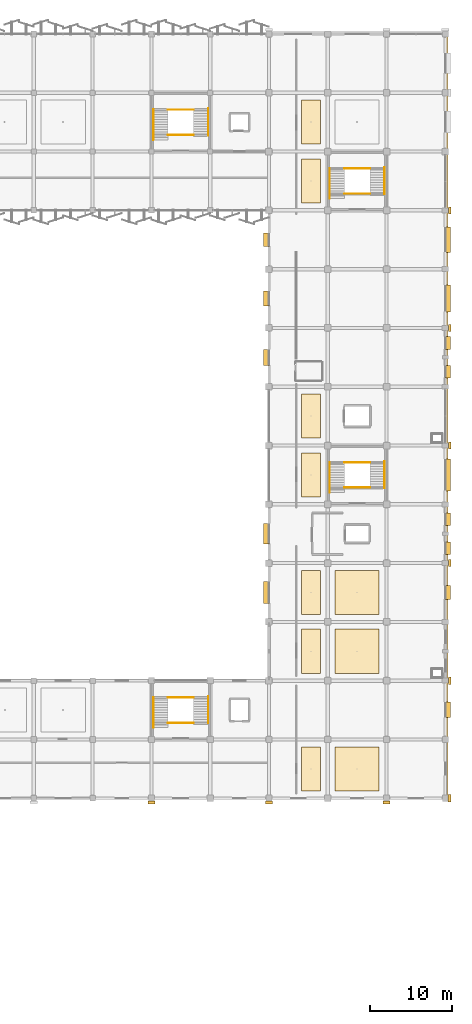
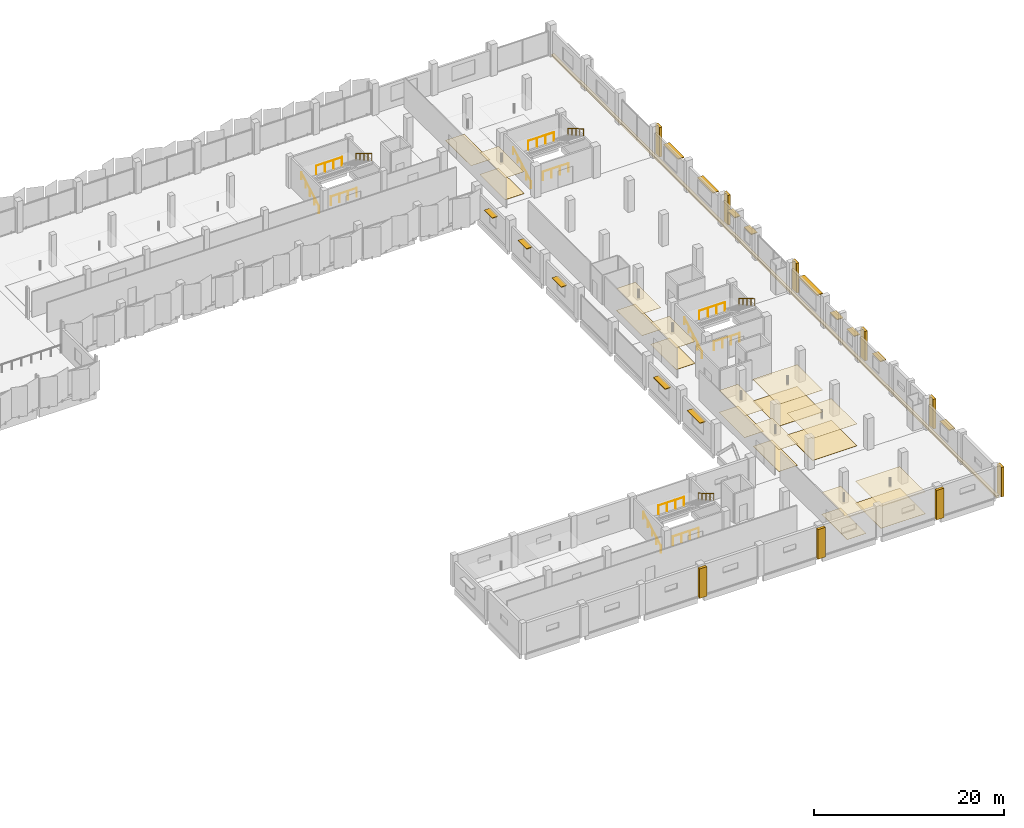
# One storey, part 106 of 107: 29 coverings, 16 railings, 14 shading devices.
"""IFC4 building model written with IfcOpenShell, lengths in metres."""

from ifc_helpers import new_model, si_unit, direction, frame, origin, origin_2d, place, context, subcontext, project, spatial, polyline, rectangle, circle, outline, extrude, material, layer, layer_set, type_object, element, save


model = new_model("IFC4")

# Units and contexts
model_context = context("Model", 3, precision=1e-05, world=origin(), true_north=direction((0.0, 1.0)))
body_context = subcontext(model_context, "Body", "Model", "MODEL_VIEW")
ifc_project = project(units=[si_unit("LENGTHUNIT", "METRE"), si_unit("AREAUNIT", "SQUARE_METRE"), si_unit("VOLUMEUNIT", "CUBIC_METRE"), si_unit("PLANEANGLEUNIT", "RADIAN"), si_unit("MASSUNIT", "GRAM", prefix="KILO")], contexts=[model_context])

# Site, building, storey
site_placement = place(None, origin())
site = spatial("IfcSite", under=ifc_project, at=site_placement, CompositionType="ELEMENT")
building_placement = place(site_placement, origin())
building = spatial("IfcBuilding", under=site, at=building_placement, Name="Kangsadwip Square Police Headquarters", CompositionType="ELEMENT")
storey_placement = place(building_placement, frame((0.0, 0.0, 5.39990234375)))
storey = spatial("IfcBuildingStorey", under=building, at=storey_placement, Name="L01", CompositionType="ELEMENT", Elevation=5.39990234375)

# Railings
ifc_material_1 = material(Name="Structural steel IS 2062 E250 (Grade 250, 250 MPa)", Category="steel")
railing_type_1 = type_object("IfcRailingType", Name="BalustradeGuard1100", PredefinedType="BALUSTRADE", material=ifc_material_1)
for number, where, name in (
    (1, (153.22998046875, 59.639892578125, 0.0), "Stair Guard ST-03 L01-78"),
    (2, (153.22998046875, 62.719970703125, 2.106201171875), "Stair Guard ST-03 L01-79"),
    (3, (153.22998046875, 95.639892578125, 0.0), "Stair Guard ST-04 L01-110"),
    (4, (153.22998046875, 98.719970703125, 2.106201171875), "Stair Guard ST-04 L01-111"),
    (5, (131.6298828125, 102.840087890625, 0.0), "Stair Guard ST-05 L01-130"),
    (6, (131.6298828125, 105.919921875, 2.106201171875), "Stair Guard ST-05 L01-131"),
    (7, (131.6298828125, 30.840087890625, 0.0), "Stair Guard ST-06 L01-146"),
    (8, (131.6298828125, 33.919921875, 2.106201171875), "Stair Guard ST-06 L01-147"),
):
    element("IfcRailing", number, at=place(storey_placement, frame(where)), inside=storey, type_object=railing_type_1, Name=name, PredefinedType="BALUSTRADE", context=body_context, shape_type="SweptSolid", body=[
        extrude(circle(Radius=0.02392578125, at=origin_2d()), frame((0.0, 0.0, 1.09619140625), z_axis=(1.0, 0.0, 0.0), x_axis=(0.0, 1.0, 0.0)), (0.0, 0.0, 1.0), 3.14013671875),
        extrude(circle(Radius=0.02099609375, at=origin_2d()), origin(), (0.0, 0.0, 1.0), 1.072021484375),
        extrude(circle(Radius=0.02099609375, at=origin_2d()), frame((1.046630859375, 0.0, 0.0)), (0.0, 0.0, 1.0), 1.072021484375),
        extrude(circle(Radius=0.02099609375, at=origin_2d()), frame((2.093505859375, 0.0, 0.0)), (0.0, 0.0, 1.0), 1.072021484375),
        extrude(circle(Radius=0.02099609375, at=origin_2d()), frame((3.14013671875, 0.0, 0.0)), (0.0, 0.0, 1.0), 1.072021484375),
    ])

# Coverings
ifc_material_2 = material(Name="Seamless anti-static epoxy and polished Kota stone interior flooring", Category="masonry")
ifc_layer_1 = layer(ifc_material_2, 0.02001953125)
ifc_layer_set_1 = layer_set([ifc_layer_1], Name="Seamless anti-static epoxy and polished Kota stone interior flooring")
covering_type_1 = type_object("IfcCoveringType", Name="InteriorStoneEpoxyFloor", PredefinedType="FLOORING", material=ifc_layer_set_1)
covering_1_placement = place(storey_placement, origin())
element("IfcCovering", 9, at=covering_1_placement, inside=storey, type_object=covering_type_1, Name="Interior Floor Finish L01-055", PredefinedType="FLOORING", context=body_context, shape_type="SweptSolid", body=[
    extrude(outline(polyline([(148.0, 94.5), (150.300048828125, 94.5), (150.300048828125, 99.89990234375), (148.0, 99.89990234375), (148.0, 94.5)])), origin(), (0.0, 0.0, 1.0), 0.02001953125),
])
covering_2_placement = place(storey_placement, origin())
element("IfcCovering", 10, at=covering_2_placement, inside=storey, type_object=covering_type_1, Name="Interior Floor Finish L01-056", PredefinedType="FLOORING", context=body_context, shape_type="SweptSolid", body=[
    extrude(outline(polyline([(148.0, 101.699951171875), (150.300048828125, 101.699951171875), (150.300048828125, 107.10009765625), (148.0, 107.10009765625), (148.0, 101.699951171875)])), origin(), (0.0, 0.0, 1.0), 0.02001953125),
])
covering_3_placement = place(storey_placement, origin())
element("IfcCovering", 11, at=covering_3_placement, inside=storey, type_object=covering_type_1, Name="Interior Floor Finish L01-064", PredefinedType="FLOORING", context=body_context, shape_type="SweptSolid", body=[
    extrude(outline(polyline([(148.0, 36.89990234375), (150.300048828125, 36.89990234375), (150.300048828125, 42.300048828125), (148.0, 42.300048828125), (148.0, 36.89990234375)])), origin(), (0.0, 0.0, 1.0), 0.02001953125),
])
covering_4_placement = place(storey_placement, origin())
element("IfcCovering", 12, at=covering_4_placement, inside=storey, type_object=covering_type_1, Name="Interior Floor Finish L01-065", PredefinedType="FLOORING", context=body_context, shape_type="SweptSolid", body=[
    extrude(outline(polyline([(152.10009765625, 36.89990234375), (157.5, 36.89990234375), (157.5, 42.300048828125), (152.10009765625, 42.300048828125), (152.10009765625, 36.89990234375)])), origin(), (0.0, 0.0, 1.0), 0.02001953125),
])
covering_5_placement = place(storey_placement, origin())
element("IfcCovering", 13, at=covering_5_placement, inside=storey, type_object=covering_type_1, Name="Interior Floor Finish L01-066", PredefinedType="FLOORING", context=body_context, shape_type="SweptSolid", body=[
    extrude(outline(polyline([(148.0, 44.10009765625), (150.300048828125, 44.10009765625), (150.300048828125, 49.5), (148.0, 49.5), (148.0, 44.10009765625)])), origin(), (0.0, 0.0, 1.0), 0.02001953125),
])
covering_6_placement = place(storey_placement, origin())
element("IfcCovering", 14, at=covering_6_placement, inside=storey, type_object=covering_type_1, Name="Interior Floor Finish L01-067", PredefinedType="FLOORING", context=body_context, shape_type="SweptSolid", body=[
    extrude(outline(polyline([(152.10009765625, 44.10009765625), (157.5, 44.10009765625), (157.5, 49.5), (152.10009765625, 49.5), (152.10009765625, 44.10009765625)])), origin(), (0.0, 0.0, 1.0), 0.02001953125),
])
covering_7_placement = place(storey_placement, origin())
element("IfcCovering", 15, at=covering_7_placement, inside=storey, type_object=covering_type_1, Name="Interior Floor Finish L01-068", PredefinedType="FLOORING", context=body_context, shape_type="SweptSolid", body=[
    extrude(outline(polyline([(148.0, 58.5), (150.300048828125, 58.5), (150.300048828125, 63.89990234375), (148.0, 63.89990234375), (148.0, 58.5)])), origin(), (0.0, 0.0, 1.0), 0.02001953125),
])
covering_8_placement = place(storey_placement, origin())
element("IfcCovering", 16, at=covering_8_placement, inside=storey, type_object=covering_type_1, Name="Interior Floor Finish L01-069", PredefinedType="FLOORING", context=body_context, shape_type="SweptSolid", body=[
    extrude(outline(polyline([(148.0, 65.699951171875), (150.300048828125, 65.699951171875), (150.300048828125, 71.10009765625), (148.0, 71.10009765625), (148.0, 65.699951171875)])), origin(), (0.0, 0.0, 1.0), 0.02001953125),
])
covering_9_placement = place(storey_placement, origin())
element("IfcCovering", 17, at=covering_9_placement, inside=storey, type_object=covering_type_1, Name="Interior Floor Finish L01-079", PredefinedType="FLOORING", context=body_context, shape_type="SweptSolid", body=[
    extrude(outline(polyline([(148.0, 22.5), (150.300048828125, 22.5), (150.300048828125, 27.89990234375), (148.0, 27.89990234375), (148.0, 22.5)])), origin(), (0.0, 0.0, 1.0), 0.02001953125),
])
covering_10_placement = place(storey_placement, origin())
element("IfcCovering", 18, at=covering_10_placement, inside=storey, type_object=covering_type_1, Name="Interior Floor Finish L01-080", PredefinedType="FLOORING", context=body_context, shape_type="SweptSolid", body=[
    extrude(outline(polyline([(152.10009765625, 22.5), (157.5, 22.5), (157.5, 27.89990234375), (152.10009765625, 27.89990234375), (152.10009765625, 22.5)])), origin(), (0.0, 0.0, 1.0), 0.02001953125),
])

# Railings
ifc_material_3 = material(Name="Structural steel IS 2062 E250 (Grade 250, 250 MPa)", Category="steel")
railing_type_2 = type_object("IfcRailingType", Name="StairPitchHandrail900", PredefinedType="HANDRAIL", material=ifc_material_3)
railing_1_placement = place(storey_placement, frame((151.43994140625, 59.0400390625, 0.0)))
element("IfcRailing", 19, at=railing_1_placement, inside=storey, type_object=railing_type_2, Name="Stair Handrail ST-03 L01-80", PredefinedType="HANDRAIL", context=body_context, shape_type="SweptSolid", body=[
    extrude(circle(Radius=0.02392578125, at=origin_2d()), frame((0.0, 0.0, 0.8759765625), z_axis=(0.0, 0.870200954866, 0.492696963813), x_axis=(-1.0, 0.0, 0.0)), (0.0, 0.0, 1.0), 4.27490234375),
    extrude(circle(Radius=0.02099609375, at=origin_2d()), origin(), (0.0, 0.0, 1.0), 0.851806640625),
    extrude(circle(Radius=0.02099609375, at=origin_2d()), frame((0.0, 0.929931640625, 0.526611328125)), (0.0, 0.0, 1.0), 0.851806640625),
    extrude(circle(Radius=0.02099609375, at=origin_2d()), frame((0.0, 1.85986328125, 1.05322265625)), (0.0, 0.0, 1.0), 0.851806640625),
    extrude(circle(Radius=0.02099609375, at=origin_2d()), frame((0.0, 2.7900390625, 1.57958984375)), (0.0, 0.0, 1.0), 0.851806640625),
    extrude(circle(Radius=0.02099609375, at=origin_2d()), frame((0.0, 3.719970703125, 2.106201171875)), (0.0, 0.0, 1.0), 0.851806640625),
])
railing_2_placement = place(storey_placement, frame((158.159912109375, 62.860107421875, 2.106201171875)))
element("IfcRailing", 20, at=railing_2_placement, inside=storey, type_object=railing_type_2, Name="Stair Handrail ST-03 L01-81", PredefinedType="HANDRAIL", context=body_context, shape_type="SweptSolid", body=[
    extrude(circle(Radius=0.02392578125, at=origin_2d()), frame((0.0, 0.0, 0.8759765625), z_axis=(0.0, -0.860276971572, 0.509826962981), x_axis=(1.0, 0.0, 0.0)), (0.0, 0.0, 1.0), 3.812744140625),
    extrude(circle(Radius=0.02099609375, at=origin_2d()), origin(), (0.0, 0.0, 1.0), 0.851806640625),
    extrude(circle(Radius=0.02099609375, at=origin_2d()), frame((0.0, -0.820068359375, 0.48583984375)), (0.0, 0.0, 1.0), 0.851806640625),
    extrude(circle(Radius=0.02099609375, at=origin_2d()), frame((0.0, -1.64013671875, 0.971923828125)), (0.0, 0.0, 1.0), 0.851806640625),
    extrude(circle(Radius=0.02099609375, at=origin_2d()), frame((0.0, -2.4599609375, 1.4580078125)), (0.0, 0.0, 1.0), 0.851806640625),
    extrude(circle(Radius=0.02099609375, at=origin_2d()), frame((0.0, -3.280029296875, 1.94384765625)), (0.0, 0.0, 1.0), 0.851806640625),
])
railing_3_placement = place(storey_placement, frame((151.43994140625, 95.0400390625, 0.0)))
element("IfcRailing", 21, at=railing_3_placement, inside=storey, type_object=railing_type_2, Name="Stair Handrail ST-04 L01-112", PredefinedType="HANDRAIL", context=body_context, shape_type="SweptSolid", body=[
    extrude(circle(Radius=0.02392578125, at=origin_2d()), frame((0.0, 0.0, 0.8759765625), z_axis=(0.0, 0.870200954866, 0.492696963813), x_axis=(-1.0, 0.0, 0.0)), (0.0, 0.0, 1.0), 4.27490234375),
    extrude(circle(Radius=0.02099609375, at=origin_2d()), origin(), (0.0, 0.0, 1.0), 0.851806640625),
    extrude(circle(Radius=0.02099609375, at=origin_2d()), frame((0.0, 0.929931640625, 0.526611328125)), (0.0, 0.0, 1.0), 0.851806640625),
    extrude(circle(Radius=0.02099609375, at=origin_2d()), frame((0.0, 1.85986328125, 1.05322265625)), (0.0, 0.0, 1.0), 0.851806640625),
    extrude(circle(Radius=0.02099609375, at=origin_2d()), frame((0.0, 2.7900390625, 1.57958984375)), (0.0, 0.0, 1.0), 0.851806640625),
    extrude(circle(Radius=0.02099609375, at=origin_2d()), frame((0.0, 3.719970703125, 2.106201171875)), (0.0, 0.0, 1.0), 0.851806640625),
])
railing_4_placement = place(storey_placement, frame((158.159912109375, 98.860107421875, 2.106201171875)))
element("IfcRailing", 22, at=railing_4_placement, inside=storey, type_object=railing_type_2, Name="Stair Handrail ST-04 L01-113", PredefinedType="HANDRAIL", context=body_context, shape_type="SweptSolid", body=[
    extrude(circle(Radius=0.02392578125, at=origin_2d()), frame((0.0, 0.0, 0.8759765625), z_axis=(0.0, -0.860276971572, 0.509826962981), x_axis=(1.0, 0.0, 0.0)), (0.0, 0.0, 1.0), 3.812744140625),
    extrude(circle(Radius=0.02099609375, at=origin_2d()), origin(), (0.0, 0.0, 1.0), 0.851806640625),
    extrude(circle(Radius=0.02099609375, at=origin_2d()), frame((0.0, -0.820068359375, 0.48583984375)), (0.0, 0.0, 1.0), 0.851806640625),
    extrude(circle(Radius=0.02099609375, at=origin_2d()), frame((0.0, -1.64013671875, 0.971923828125)), (0.0, 0.0, 1.0), 0.851806640625),
    extrude(circle(Radius=0.02099609375, at=origin_2d()), frame((0.0, -2.4599609375, 1.4580078125)), (0.0, 0.0, 1.0), 0.851806640625),
    extrude(circle(Radius=0.02099609375, at=origin_2d()), frame((0.0, -3.280029296875, 1.94384765625)), (0.0, 0.0, 1.0), 0.851806640625),
])
railing_5_placement = place(storey_placement, frame((129.840087890625, 102.239990234375, 0.0)))
element("IfcRailing", 23, at=railing_5_placement, inside=storey, type_object=railing_type_2, Name="Stair Handrail ST-05 L01-132", PredefinedType="HANDRAIL", context=body_context, shape_type="SweptSolid", body=[
    extrude(circle(Radius=0.02392578125, at=origin_2d()), frame((0.0, 0.0, 0.8759765625), z_axis=(0.0, 0.870200954866, 0.492696963813), x_axis=(-1.0, 0.0, 0.0)), (0.0, 0.0, 1.0), 4.27490234375),
    extrude(circle(Radius=0.02099609375, at=origin_2d()), origin(), (0.0, 0.0, 1.0), 0.851806640625),
    extrude(circle(Radius=0.02099609375, at=origin_2d()), frame((0.0, 0.929931640625, 0.526611328125)), (0.0, 0.0, 1.0), 0.851806640625),
    extrude(circle(Radius=0.02099609375, at=origin_2d()), frame((0.0, 1.85986328125, 1.05322265625)), (0.0, 0.0, 1.0), 0.851806640625),
    extrude(circle(Radius=0.02099609375, at=origin_2d()), frame((0.0, 2.7900390625, 1.57958984375)), (0.0, 0.0, 1.0), 0.851806640625),
    extrude(circle(Radius=0.02099609375, at=origin_2d()), frame((0.0, 3.719970703125, 2.106201171875)), (0.0, 0.0, 1.0), 0.851806640625),
])
railing_6_placement = place(storey_placement, frame((136.56005859375, 106.06005859375, 2.106201171875)))
element("IfcRailing", 24, at=railing_6_placement, inside=storey, type_object=railing_type_2, Name="Stair Handrail ST-05 L01-133", PredefinedType="HANDRAIL", context=body_context, shape_type="SweptSolid", body=[
    extrude(circle(Radius=0.02392578125, at=origin_2d()), frame((0.0, 0.0, 0.8759765625), z_axis=(0.0, -0.860276971572, 0.509826962981), x_axis=(1.0, 0.0, 0.0)), (0.0, 0.0, 1.0), 3.812744140625),
    extrude(circle(Radius=0.02099609375, at=origin_2d()), origin(), (0.0, 0.0, 1.0), 0.851806640625),
    extrude(circle(Radius=0.02099609375, at=origin_2d()), frame((0.0, -0.820068359375, 0.48583984375)), (0.0, 0.0, 1.0), 0.851806640625),
    extrude(circle(Radius=0.02099609375, at=origin_2d()), frame((0.0, -1.64013671875, 0.971923828125)), (0.0, 0.0, 1.0), 0.851806640625),
    extrude(circle(Radius=0.02099609375, at=origin_2d()), frame((0.0, -2.4599609375, 1.4580078125)), (0.0, 0.0, 1.0), 0.851806640625),
    extrude(circle(Radius=0.02099609375, at=origin_2d()), frame((0.0, -3.280029296875, 1.94384765625)), (0.0, 0.0, 1.0), 0.851806640625),
])
railing_7_placement = place(storey_placement, frame((129.840087890625, 30.239990234375, 0.0)))
element("IfcRailing", 25, at=railing_7_placement, inside=storey, type_object=railing_type_2, Name="Stair Handrail ST-06 L01-148", PredefinedType="HANDRAIL", context=body_context, shape_type="SweptSolid", body=[
    extrude(circle(Radius=0.02392578125, at=origin_2d()), frame((0.0, 0.0, 0.8759765625), z_axis=(0.0, 0.870200954866, 0.492696963813), x_axis=(-1.0, 0.0, 0.0)), (0.0, 0.0, 1.0), 4.27490234375),
    extrude(circle(Radius=0.02099609375, at=origin_2d()), origin(), (0.0, 0.0, 1.0), 0.851806640625),
    extrude(circle(Radius=0.02099609375, at=origin_2d()), frame((0.0, 0.929931640625, 0.526611328125)), (0.0, 0.0, 1.0), 0.851806640625),
    extrude(circle(Radius=0.02099609375, at=origin_2d()), frame((0.0, 1.85986328125, 1.05322265625)), (0.0, 0.0, 1.0), 0.851806640625),
    extrude(circle(Radius=0.02099609375, at=origin_2d()), frame((0.0, 2.7900390625, 1.57958984375)), (0.0, 0.0, 1.0), 0.851806640625),
    extrude(circle(Radius=0.02099609375, at=origin_2d()), frame((0.0, 3.719970703125, 2.106201171875)), (0.0, 0.0, 1.0), 0.851806640625),
])
railing_8_placement = place(storey_placement, frame((136.56005859375, 34.06005859375, 2.106201171875)))
element("IfcRailing", 26, at=railing_8_placement, inside=storey, type_object=railing_type_2, Name="Stair Handrail ST-06 L01-149", PredefinedType="HANDRAIL", context=body_context, shape_type="SweptSolid", body=[
    extrude(circle(Radius=0.02392578125, at=origin_2d()), frame((0.0, 0.0, 0.8759765625), z_axis=(0.0, -0.860276971572, 0.509826962981), x_axis=(1.0, 0.0, 0.0)), (0.0, 0.0, 1.0), 3.812744140625),
    extrude(circle(Radius=0.02099609375, at=origin_2d()), origin(), (0.0, 0.0, 1.0), 0.851806640625),
    extrude(circle(Radius=0.02099609375, at=origin_2d()), frame((0.0, -0.820068359375, 0.48583984375)), (0.0, 0.0, 1.0), 0.851806640625),
    extrude(circle(Radius=0.02099609375, at=origin_2d()), frame((0.0, -1.64013671875, 0.971923828125)), (0.0, 0.0, 1.0), 0.851806640625),
    extrude(circle(Radius=0.02099609375, at=origin_2d()), frame((0.0, -2.4599609375, 1.4580078125)), (0.0, 0.0, 1.0), 0.851806640625),
    extrude(circle(Radius=0.02099609375, at=origin_2d()), frame((0.0, -3.280029296875, 1.94384765625)), (0.0, 0.0, 1.0), 0.851806640625),
])

# Coverings
ifc_material_4 = material(Name="Perforated mineral-fibre and acoustic baffle suspended ceiling", Category="wood")
ifc_layer_2 = layer(ifc_material_4, 0.02490234375)
ifc_layer_set_2 = layer_set([ifc_layer_2], Name="Perforated mineral-fibre and acoustic baffle suspended ceiling")
covering_type_2 = type_object("IfcCoveringType", Name="SuspendedAcousticCeiling", PredefinedType="CEILING", material=ifc_layer_set_2)
covering_11_placement = place(storey_placement, frame((0.0, 0.0, 2.800048828125)))
element("IfcCovering", 27, at=covering_11_placement, inside=storey, type_object=covering_type_2, Name="Suspended Acoustic Ceiling L01-055", PredefinedType="CEILING", context=body_context, shape_type="SweptSolid", body=[
    extrude(outline(polyline([(148.0, 94.5), (150.300048828125, 94.5), (150.300048828125, 99.89990234375), (148.0, 99.89990234375), (148.0, 94.5)])), origin(), (0.0, 0.0, 1.0), 0.025146484375),
])
covering_12_placement = place(storey_placement, frame((0.0, 0.0, 2.800048828125)))
element("IfcCovering", 28, at=covering_12_placement, inside=storey, type_object=covering_type_2, Name="Suspended Acoustic Ceiling L01-064", PredefinedType="CEILING", context=body_context, shape_type="SweptSolid", body=[
    extrude(outline(polyline([(148.0, 36.89990234375), (150.300048828125, 36.89990234375), (150.300048828125, 42.300048828125), (148.0, 42.300048828125), (148.0, 36.89990234375)])), origin(), (0.0, 0.0, 1.0), 0.025146484375),
])
covering_13_placement = place(storey_placement, frame((0.0, 0.0, 2.800048828125)))
element("IfcCovering", 29, at=covering_13_placement, inside=storey, type_object=covering_type_2, Name="Suspended Acoustic Ceiling L01-065", PredefinedType="CEILING", context=body_context, shape_type="SweptSolid", body=[
    extrude(outline(polyline([(152.10009765625, 36.89990234375), (157.5, 36.89990234375), (157.5, 42.300048828125), (152.10009765625, 42.300048828125), (152.10009765625, 36.89990234375)])), origin(), (0.0, 0.0, 1.0), 0.025146484375),
])
covering_14_placement = place(storey_placement, frame((0.0, 0.0, 2.800048828125)))
element("IfcCovering", 30, at=covering_14_placement, inside=storey, type_object=covering_type_2, Name="Suspended Acoustic Ceiling L01-066", PredefinedType="CEILING", context=body_context, shape_type="SweptSolid", body=[
    extrude(outline(polyline([(148.0, 44.10009765625), (150.300048828125, 44.10009765625), (150.300048828125, 49.5), (148.0, 49.5), (148.0, 44.10009765625)])), origin(), (0.0, 0.0, 1.0), 0.025146484375),
])
covering_15_placement = place(storey_placement, frame((0.0, 0.0, 2.800048828125)))
element("IfcCovering", 31, at=covering_15_placement, inside=storey, type_object=covering_type_2, Name="Suspended Acoustic Ceiling L01-067", PredefinedType="CEILING", context=body_context, shape_type="SweptSolid", body=[
    extrude(outline(polyline([(152.10009765625, 44.10009765625), (157.5, 44.10009765625), (157.5, 49.5), (152.10009765625, 49.5), (152.10009765625, 44.10009765625)])), origin(), (0.0, 0.0, 1.0), 0.025146484375),
])
covering_16_placement = place(storey_placement, frame((0.0, 0.0, 2.800048828125)))
element("IfcCovering", 32, at=covering_16_placement, inside=storey, type_object=covering_type_2, Name="Suspended Acoustic Ceiling L01-068", PredefinedType="CEILING", context=body_context, shape_type="SweptSolid", body=[
    extrude(outline(polyline([(148.0, 58.5), (150.300048828125, 58.5), (150.300048828125, 63.89990234375), (148.0, 63.89990234375), (148.0, 58.5)])), origin(), (0.0, 0.0, 1.0), 0.025146484375),
])
covering_17_placement = place(storey_placement, frame((0.0, 0.0, 2.800048828125)))
element("IfcCovering", 33, at=covering_17_placement, inside=storey, type_object=covering_type_2, Name="Suspended Acoustic Ceiling L01-069", PredefinedType="CEILING", context=body_context, shape_type="SweptSolid", body=[
    extrude(outline(polyline([(148.0, 65.699951171875), (150.300048828125, 65.699951171875), (150.300048828125, 71.10009765625), (148.0, 71.10009765625), (148.0, 65.699951171875)])), origin(), (0.0, 0.0, 1.0), 0.025146484375),
])
covering_18_placement = place(storey_placement, frame((0.0, 0.0, 2.800048828125)))
element("IfcCovering", 34, at=covering_18_placement, inside=storey, type_object=covering_type_2, Name="Suspended Acoustic Ceiling L01-079", PredefinedType="CEILING", context=body_context, shape_type="SweptSolid", body=[
    extrude(outline(polyline([(148.0, 22.5), (150.300048828125, 22.5), (150.300048828125, 27.89990234375), (148.0, 27.89990234375), (148.0, 22.5)])), origin(), (0.0, 0.0, 1.0), 0.025146484375),
])
covering_19_placement = place(storey_placement, frame((0.0, 0.0, 2.800048828125)))
element("IfcCovering", 35, at=covering_19_placement, inside=storey, type_object=covering_type_2, Name="Suspended Acoustic Ceiling L01-080", PredefinedType="CEILING", context=body_context, shape_type="SweptSolid", body=[
    extrude(outline(polyline([(152.10009765625, 22.5), (157.5, 22.5), (157.5, 27.89990234375), (152.10009765625, 27.89990234375), (152.10009765625, 22.5)])), origin(), (0.0, 0.0, 1.0), 0.025146484375),
])
ifc_material_5 = material(Name="Glazed architectural terracotta masonry rainscreen", Category="masonry")
ifc_layer_3 = layer(ifc_material_5, 0.034912109375)
ifc_layer_set_3 = layer_set([ifc_layer_3], Name="Glazed architectural terracotta masonry rainscreen")
covering_type_3 = type_object("IfcCoveringType", Name="TerracottaPierCladding", PredefinedType="CLADDING", material=ifc_layer_set_3)
covering_20_placement = place(storey_placement, origin())
element("IfcCovering", 36, at=covering_20_placement, inside=storey, type_object=covering_type_3, Name="Terracotta Pier Cladding L01-039", PredefinedType="CLADDING", context=body_context, shape_type="SweptSolid", body=[
    extrude(outline(polyline([(165.955078125, 21.159912109375), (166.27490234375, 21.159912109375), (166.27490234375, 22.0400390625), (165.955078125, 22.0400390625), (165.955078125, 21.159912109375)])), origin(), (0.0, 0.0, 1.0), 3.800048828125),
])
covering_21_placement = place(storey_placement, origin())
element("IfcCovering", 37, at=covering_21_placement, inside=storey, type_object=covering_type_3, Name="Terracotta Pier Cladding L01-040", PredefinedType="CLADDING", context=body_context, shape_type="SweptSolid", body=[
    extrude(outline(polyline([(165.97998046875, 35.56005859375), (166.300048828125, 35.56005859375), (166.300048828125, 36.43994140625), (165.97998046875, 36.43994140625), (165.97998046875, 35.56005859375)])), origin(), (0.0, 0.0, 1.0), 3.800048828125),
])
covering_22_placement = place(storey_placement, origin())
element("IfcCovering", 38, at=covering_22_placement, inside=storey, type_object=covering_type_3, Name="Terracotta Pier Cladding L01-041", PredefinedType="CLADDING", context=body_context, shape_type="SweptSolid", body=[
    extrude(outline(polyline([(165.97998046875, 49.9599609375), (166.300048828125, 49.9599609375), (166.300048828125, 50.840087890625), (165.97998046875, 50.840087890625), (165.97998046875, 49.9599609375)])), origin(), (0.0, 0.0, 1.0), 3.800048828125),
])
covering_23_placement = place(storey_placement, origin())
element("IfcCovering", 39, at=covering_23_placement, inside=storey, type_object=covering_type_3, Name="Terracotta Pier Cladding L01-042", PredefinedType="CLADDING", context=body_context, shape_type="SweptSolid", body=[
    extrude(outline(polyline([(165.97998046875, 64.360107421875), (166.300048828125, 64.360107421875), (166.300048828125, 65.239990234375), (165.97998046875, 65.239990234375), (165.97998046875, 64.360107421875)])), origin(), (0.0, 0.0, 1.0), 3.800048828125),
])
covering_24_placement = place(storey_placement, origin())
element("IfcCovering", 40, at=covering_24_placement, inside=storey, type_object=covering_type_3, Name="Terracotta Pier Cladding L01-043", PredefinedType="CLADDING", context=body_context, shape_type="SweptSolid", body=[
    extrude(outline(polyline([(165.97998046875, 78.760009765625), (166.300048828125, 78.760009765625), (166.300048828125, 79.639892578125), (165.97998046875, 79.639892578125), (165.97998046875, 78.760009765625)])), origin(), (0.0, 0.0, 1.0), 3.800048828125),
])
covering_25_placement = place(storey_placement, origin())
element("IfcCovering", 41, at=covering_25_placement, inside=storey, type_object=covering_type_3, Name="Terracotta Pier Cladding L01-044", PredefinedType="CLADDING", context=body_context, shape_type="SweptSolid", body=[
    extrude(outline(polyline([(165.97998046875, 93.159912109375), (166.300048828125, 93.159912109375), (166.300048828125, 94.0400390625), (165.97998046875, 94.0400390625), (165.97998046875, 93.159912109375)])), origin(), (0.0, 0.0, 1.0), 3.800048828125),
])
covering_26_placement = place(storey_placement, origin())
element("IfcCovering", 42, at=covering_26_placement, inside=storey, type_object=covering_type_3, Name="Terracotta Pier Cladding L01-053", PredefinedType="CLADDING", context=body_context, shape_type="SweptSolid", body=[
    extrude(outline(polyline([(129.159912109375, 20.925048828125), (130.0400390625, 20.925048828125), (130.0400390625, 21.2451171875), (129.159912109375, 21.2451171875), (129.159912109375, 20.925048828125)])), origin(), (0.0, 0.0, 1.0), 3.800048828125),
])
covering_27_placement = place(storey_placement, origin())
element("IfcCovering", 43, at=covering_27_placement, inside=storey, type_object=covering_type_3, Name="Terracotta Pier Cladding L01-054", PredefinedType="CLADDING", context=body_context, shape_type="SweptSolid", body=[
    extrude(outline(polyline([(143.56005859375, 20.925048828125), (144.43994140625, 20.925048828125), (144.43994140625, 21.2451171875), (143.56005859375, 21.2451171875), (143.56005859375, 20.925048828125)])), origin(), (0.0, 0.0, 1.0), 3.800048828125),
])
covering_28_placement = place(storey_placement, origin())
element("IfcCovering", 44, at=covering_28_placement, inside=storey, type_object=covering_type_3, Name="Terracotta Pier Cladding L01-055", PredefinedType="CLADDING", context=body_context, shape_type="SweptSolid", body=[
    extrude(outline(polyline([(157.9599609375, 20.925048828125), (158.840087890625, 20.925048828125), (158.840087890625, 21.2451171875), (157.9599609375, 21.2451171875), (157.9599609375, 20.925048828125)])), origin(), (0.0, 0.0, 1.0), 3.800048828125),
])
covering_29_placement = place(storey_placement, frame((0.0, 0.0, -0.239990234375)))
element("IfcCovering", 45, at=covering_29_placement, inside=storey, type_object=covering_type_3, Name="Terracotta Cornice Belt L01-157", PredefinedType="CLADDING", context=body_context, shape_type="SweptSolid", body=[
    extrude(outline(polyline([(165.580078125, 21.60009765625), (165.89990234375, 21.60009765625), (165.89990234375, 115.199951171875), (165.580078125, 115.199951171875), (165.580078125, 21.60009765625)])), origin(), (0.0, 0.0, 1.0), 0.260009765625),
])

# Shading devices
ifc_material_6 = material(Name="Architectural terracotta and anodised aluminium AW-6061-T6", Category="aluminium")
shading_device_type = type_object("IfcShadingDeviceType", Name="TerracottaChhajjaAwning", PredefinedType="AWNING", material=ifc_material_6)
shading_device_1_placement = place(storey_placement, frame((143.699951171875, 46.800048828125, 2.615234375), z_axis=(0.0, 0.0, 1.0), x_axis=(0.0, 1.0, 0.0)))
element("IfcShadingDevice", 46, at=shading_device_1_placement, inside=storey, type_object=shading_device_type, Name="Terracotta Chhajja Hood CHJ-L01-0085", PredefinedType="AWNING", context=body_context, shape_type="SweptSolid", body=[
    extrude(rectangle(XDim=2.699951171875, YDim=0.719970703125, at=origin_2d()), origin(), (0.0, 0.0, 1.0), 0.090087890625),
])
shading_device_2_placement = place(storey_placement, frame((143.699951171875, 54.0, 2.56494140625), z_axis=(0.0, 0.0, 1.0), x_axis=(0.0, 1.0, 0.0)))
element("IfcShadingDevice", 47, at=shading_device_2_placement, inside=storey, type_object=shading_device_type, Name="Terracotta Chhajja Hood CHJ-L01-0086", PredefinedType="AWNING", context=body_context, shape_type="SweptSolid", body=[
    extrude(rectangle(XDim=2.5, YDim=0.719970703125, at=origin_2d()), origin(), (0.0, 0.0, 1.0), 0.090087890625),
])
shading_device_3_placement = place(storey_placement, frame((143.699951171875, 75.60009765625, 2.4150390625), z_axis=(0.0, 0.0, 1.0), x_axis=(0.0, 1.0, 0.0)))
element("IfcShadingDevice", 48, at=shading_device_3_placement, inside=storey, type_object=shading_device_type, Name="Terracotta Chhajja Hood CHJ-L01-0087", PredefinedType="AWNING", context=body_context, shape_type="SweptSolid", body=[
    extrude(rectangle(XDim=1.949951171875, YDim=0.719970703125, at=origin_2d()), origin(), (0.0, 0.0, 1.0), 0.090087890625),
])
shading_device_4_placement = place(storey_placement, frame((143.699951171875, 82.800048828125, 2.9150390625), z_axis=(0.0, 0.0, 1.0), x_axis=(0.0, 1.0, 0.0)))
element("IfcShadingDevice", 49, at=shading_device_4_placement, inside=storey, type_object=shading_device_type, Name="Terracotta Chhajja Hood CHJ-L01-0088", PredefinedType="AWNING", context=body_context, shape_type="SweptSolid", body=[
    extrude(rectangle(XDim=1.800048828125, YDim=0.719970703125, at=origin_2d()), origin(), (0.0, 0.0, 1.0), 0.090087890625),
])
shading_device_5_placement = place(storey_placement, frame((143.699951171875, 90.0, 2.46484375), z_axis=(0.0, 0.0, 1.0), x_axis=(0.0, 1.0, 0.0)))
element("IfcShadingDevice", 50, at=shading_device_5_placement, inside=storey, type_object=shading_device_type, Name="Terracotta Chhajja Hood CHJ-L01-0089", PredefinedType="AWNING", context=body_context, shape_type="SweptSolid", body=[
    extrude(rectangle(XDim=1.699951171875, YDim=0.719970703125, at=origin_2d()), origin(), (0.0, 0.0, 1.0), 0.090087890625),
])
shading_device_6_placement = place(storey_placement, frame((165.89990234375, 32.4375, 2.4150390625), z_axis=(0.0, 0.0, 1.0), x_axis=(0.0, 1.0, 0.0)))
element("IfcShadingDevice", 51, at=shading_device_6_placement, inside=storey, type_object=shading_device_type, Name="Terracotta Chhajja Hood CHJ-L01-0090", PredefinedType="AWNING", context=body_context, shape_type="SweptSolid", body=[
    extrude(rectangle(XDim=1.949951171875, YDim=0.719970703125, at=origin_2d()), origin(), (0.0, 0.0, 1.0), 0.090087890625),
])
shading_device_7_placement = place(storey_placement, frame((165.89990234375, 46.800048828125, 2.46484375), z_axis=(0.0, 0.0, 1.0), x_axis=(0.0, 1.0, 0.0)))
element("IfcShadingDevice", 52, at=shading_device_7_placement, inside=storey, type_object=shading_device_type, Name="Terracotta Chhajja Hood CHJ-L01-0091", PredefinedType="AWNING", context=body_context, shape_type="SweptSolid", body=[
    extrude(rectangle(XDim=1.699951171875, YDim=0.719970703125, at=origin_2d()), origin(), (0.0, 0.0, 1.0), 0.090087890625),
])
for number, where, z_axis, x_axis, name in (
    (53, (165.89990234375, 52.237548828125, 2.365234375), (0.0, 0.0, 1.0), (0.0, 1.0, 0.0), "Terracotta Chhajja Hood CHJ-L01-0092"),
    (54, (165.89990234375, 55.762451171875, 2.365234375), (0.0, 0.0, 1.0), (0.0, 1.0, 0.0), "Terracotta Chhajja Hood CHJ-L01-0093"),
):
    element("IfcShadingDevice", number, at=place(storey_placement, frame(where, z_axis=z_axis, x_axis=x_axis)), inside=storey, type_object=shading_device_type, Name=name, PredefinedType="AWNING", context=body_context, shape_type="SweptSolid", body=[
        extrude(rectangle(XDim=1.550048828125, YDim=0.719970703125, at=origin_2d()), origin(), (0.0, 0.0, 1.0), 0.090087890625),
    ])
shading_device_8_placement = place(storey_placement, frame((165.89990234375, 61.199951171875, 2.9150390625), z_axis=(0.0, 0.0, 1.0), x_axis=(0.0, 1.0, 0.0)))
element("IfcShadingDevice", 55, at=shading_device_8_placement, inside=storey, type_object=shading_device_type, Name="Terracotta Chhajja Hood CHJ-L01-0094", PredefinedType="AWNING", context=body_context, shape_type="SweptSolid", body=[
    extrude(rectangle(XDim=3.89990234375, YDim=0.719970703125, at=origin_2d()), origin(), (0.0, 0.0, 1.0), 0.090087890625),
])
for number, where, z_axis, x_axis, name in (
    (56, (165.89990234375, 73.83740234375, 2.365234375), (0.0, 0.0, 1.0), (0.0, 1.0, 0.0), "Terracotta Chhajja Hood CHJ-L01-0095"),
    (57, (165.89990234375, 77.362548828125, 2.365234375), (0.0, 0.0, 1.0), (0.0, 1.0, 0.0), "Terracotta Chhajja Hood CHJ-L01-0096"),
):
    element("IfcShadingDevice", number, at=place(storey_placement, frame(where, z_axis=z_axis, x_axis=x_axis)), inside=storey, type_object=shading_device_type, Name=name, PredefinedType="AWNING", context=body_context, shape_type="SweptSolid", body=[
        extrude(rectangle(XDim=1.550048828125, YDim=0.719970703125, at=origin_2d()), origin(), (0.0, 0.0, 1.0), 0.090087890625),
    ])
shading_device_9_placement = place(storey_placement, frame((165.89990234375, 82.800048828125, 2.76513671875), z_axis=(0.0, 0.0, 1.0), x_axis=(0.0, 1.0, 0.0)))
element("IfcShadingDevice", 58, at=shading_device_9_placement, inside=storey, type_object=shading_device_type, Name="Terracotta Chhajja Hood CHJ-L01-0097", PredefinedType="AWNING", context=body_context, shape_type="SweptSolid", body=[
    extrude(rectangle(XDim=3.300048828125, YDim=0.719970703125, at=origin_2d()), origin(), (0.0, 0.0, 1.0), 0.090087890625),
])
shading_device_10_placement = place(storey_placement, frame((165.89990234375, 90.0, 2.71484375), z_axis=(0.0, 0.0, 1.0), x_axis=(0.0, 1.0, 0.0)))
element("IfcShadingDevice", 59, at=shading_device_10_placement, inside=storey, type_object=shading_device_type, Name="Terracotta Chhajja Hood CHJ-L01-0098", PredefinedType="AWNING", context=body_context, shape_type="SweptSolid", body=[
    extrude(rectangle(XDim=3.10009765625, YDim=0.719970703125, at=origin_2d()), origin(), (0.0, 0.0, 1.0), 0.090087890625),
])

save(model, "model.ifc")
